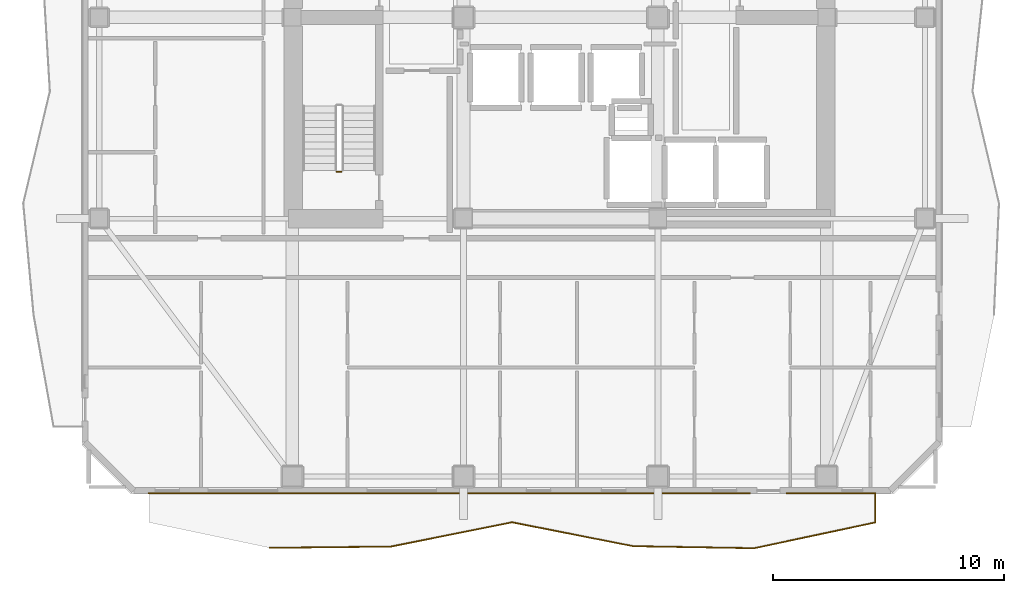
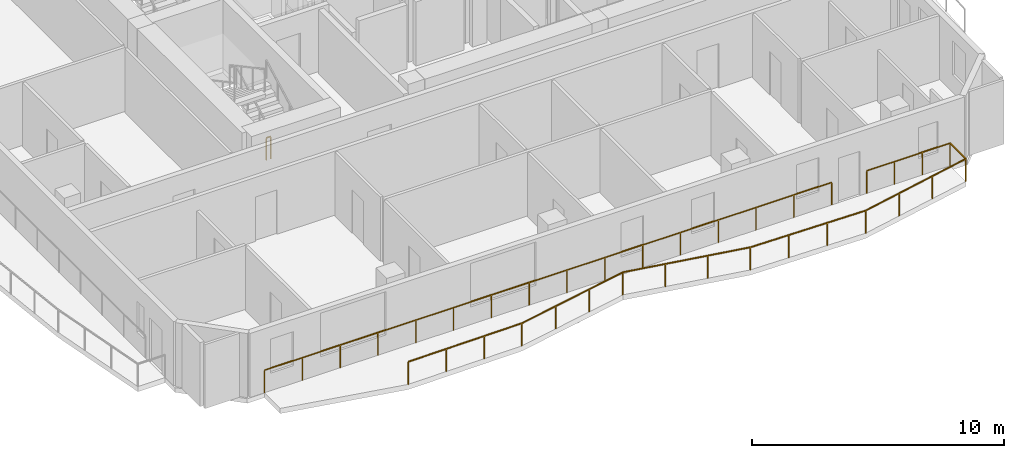
# One storey, part 7 of 10: 3 railings.
"""IFC4 building model written with IfcOpenShell, lengths in metres."""

import ifcopenshell
import ifcopenshell.guid

model = None  # the IFC model being written
_history = None  # IfcOwnerHistory: only IFC2X3 demands one
_inside = {}  # id of a spatial element -> (the spatial element, [elements in it])
_under = {}  # id of a project, library or spatial element -> (it, [spatial elements below it])
_declared = {}  # id of a project -> (the project, [libraries it declares])
_typed = {}  # id of a type object -> (the type object, [elements of that type])
_made_of = {}  # id of a material, layer set ... -> (it, [elements and type objects made of it])


def new_model(schema):
    """Start an empty IFC model of exactly this schema.

    Asked for "IFC4X3", IfcOpenShell would pick the latest addendum, in which some entities
    have other attributes; the version numbers below select the first issue.
    IFC2X3 requires an IfcOwnerHistory on every rooted entity: one is made here for all.
    """
    global model, _history
    if schema == "IFC4X3":
        model = ifcopenshell.file(schema_version=(4, 3, 0, 0))
    else:
        model = ifcopenshell.file(schema=schema)
    _inside.clear()
    _under.clear()
    _declared.clear()
    _typed.clear()
    _made_of.clear()
    _history = None
    if model.schema == "IFC2X3":
        org = make("IfcOrganization", Name="unknown")
        user = make(
            "IfcPersonAndOrganization",
            ThePerson=make("IfcPerson", FamilyName="unknown"),
            TheOrganization=org,
        )
        app = make(
            "IfcApplication",
            ApplicationDeveloper=org,
            Version="unknown",
            ApplicationFullName="unknown",
            ApplicationIdentifier="unknown",
        )
        _history = make(
            "IfcOwnerHistory",
            OwningUser=user,
            OwningApplication=app,
            ChangeAction="ADDED",
            CreationDate=0,
        )
    return model


def make(cls, **values):
    """One entity of the class cls with the attributes given. An attribute that is None is left unset."""
    return model.create_entity(
        cls, **{name: value for name, value in values.items() if value is not None}
    )


def rooted(cls, **values):
    """An entity with a GlobalId (a new one), such as an element, a storey or a relation."""
    return make(cls, GlobalId=ifcopenshell.guid.new(), OwnerHistory=_history, **values)


def si_unit(unit_type, name, prefix=None):
    """IfcSIUnit, for example si_unit("LENGTHUNIT", "METRE", prefix="MILLI")."""
    return make("IfcSIUnit", UnitType=unit_type, Prefix=prefix, Name=name)


def assignment(units):
    """IfcUnitAssignment: the units of a project."""
    return None if units is None else make("IfcUnitAssignment", Units=units)


def point(xyz):
    """IfcCartesianPoint."""
    return None if xyz is None else make("IfcCartesianPoint", Coordinates=xyz)


def direction(xyz):
    """IfcDirection."""
    return None if xyz is None else make("IfcDirection", DirectionRatios=xyz)


def frame(location, z_axis=None, x_axis=None):
    """IfcAxis2Placement3D, a coordinate frame: its origin and axes. An axis left out is left unset."""
    return make(
        "IfcAxis2Placement3D",
        Location=point(location),
        Axis=direction(z_axis),
        RefDirection=direction(x_axis),
    )


def frame_2d(location, x_axis=None):
    """IfcAxis2Placement2D, a coordinate frame in the plane: its origin and x axis."""
    return make(
        "IfcAxis2Placement2D", Location=point(location), RefDirection=direction(x_axis)
    )


def origin():
    """The frame at (0, 0, 0) with its axes left unset."""
    return frame((0.0, 0.0, 0.0))


def origin_2d():
    """The frame at (0, 0) in the plane with its x axis left unset."""
    return frame_2d((0.0, 0.0))


def place(relative_to, where):
    """IfcLocalPlacement: puts the frame where relative to a parent placement (None: the world)."""
    return make(
        "IfcLocalPlacement", PlacementRelTo=relative_to, RelativePlacement=where
    )


def context(
    kind, dimensions, precision=None, world=None, true_north=None, identifier=None
):
    """IfcGeometricRepresentationContext, for example the 3D "Model" context."""
    return make(
        "IfcGeometricRepresentationContext",
        ContextIdentifier=identifier,
        ContextType=kind,
        CoordinateSpaceDimension=dimensions,
        Precision=precision,
        WorldCoordinateSystem=world,
        TrueNorth=true_north,
    )


def subcontext(parent, identifier, kind, view, scale=None):
    """IfcGeometricRepresentationSubContext, for example "Body" below "Model"."""
    return make(
        "IfcGeometricRepresentationSubContext",
        ContextIdentifier=identifier,
        ContextType=kind,
        ParentContext=parent,
        TargetScale=scale,
        TargetView=view,
    )


def project(units=None, contexts=None):
    """IfcProject with its units and contexts."""
    return rooted(
        "IfcProject",
        Name="project",
        RepresentationContexts=contexts,
        UnitsInContext=assignment(units),
    )


def spatial(cls, under=None, at=None, **own):
    """A site, building, storey or space (cls), placed at a placement, below another one or the project."""
    s = rooted(cls, ObjectPlacement=at, **own)
    if under is not None:
        _under.setdefault(under.id(), (under, []))[1].append(s)
    return s


def profile(cls, at=None, kind="AREA", **sizes):
    """A parametric profile (cls). Its sizes go by their IFC names, for example OverallWidth=200.0."""
    return make(cls, ProfileType=kind, Position=at, **sizes)


def rectangle(**sizes):
    """IfcRectangleProfileDef."""
    return profile("IfcRectangleProfileDef", **sizes)


def extrude(swept, where, along, depth):
    """IfcExtrudedAreaSolid: the profile swept, set in the frame where, extruded along a direction by depth."""
    return make(
        "IfcExtrudedAreaSolid",
        SweptArea=swept,
        Position=where,
        ExtrudedDirection=direction(along),
        Depth=depth,
    )


def shape(context_of_items, identifier, shape_type, items):
    """IfcShapeRepresentation: the items that make up one representation, for example the "Body"."""
    return make(
        "IfcShapeRepresentation",
        ContextOfItems=context_of_items,
        RepresentationIdentifier=identifier,
        RepresentationType=shape_type,
        Items=items,
    )


def material(Name=None, Category=None):
    """IfcMaterial."""
    return make("IfcMaterial", Name=Name, Category=Category)


def made_of(thing, what):
    """Note that an element or type object is made of a material, layer set ...; save() writes the relation."""
    if what is not None:
        _made_of.setdefault(what.id(), (what, []))[1].append(thing)
    return thing


def type_object(cls, material=None, **own):
    """A type object (cls), such as IfcWallType, which elements share."""
    return made_of(rooted(cls, **own), material)


def element(
    cls,
    number,
    at=None,
    inside=None,
    cuts=None,
    type_object=None,
    material=None,
    context=None,
    identifier="Body",
    shape_type=None,
    held_by="IfcProductDefinitionShape",
    body=None,
    shapes=None,
    **own,
):
    """One element of the class cls, such as IfcWall. Its Tag is "e" and its number.

    at: its placement. inside: the storey or other place that contains it. cuts: it is an
    opening in that element (IfcRelVoidsElement). A single representation is given by context,
    identifier, shape_type and body (its items); several are given by shapes. held_by: the class
    of the entity that holds the representations. save() writes the other relations.
    """
    e = rooted(cls, Tag="e%d" % number, ObjectPlacement=at, **own)
    if body is not None:
        shapes = [shape(context, identifier, shape_type, body)]
    if shapes is not None:
        e.Representation = make(held_by, Representations=shapes)
    if inside is not None:
        _inside.setdefault(inside.id(), (inside, []))[1].append(e)
    if cuts is not None:
        rooted(
            "IfcRelVoidsElement", RelatingBuildingElement=cuts, RelatedOpeningElement=e
        )
    if type_object is not None:
        _typed.setdefault(type_object.id(), (type_object, []))[1].append(e)
    return made_of(e, material)


def aggregate(whole, parts):
    """IfcRelAggregates: a whole, such as a stair, and the parts it consists of."""
    return rooted("IfcRelAggregates", RelatingObject=whole, RelatedObjects=parts)


def save(model, path):
    """Write the relations noted so far, then the file.

    IfcRelAggregates (storeys below a building ...), IfcRelContainedInSpatialStructure (elements
    in a storey), IfcRelDefinesByType, IfcRelAssociatesMaterial and IfcRelDeclares: one each for
    every whole, place, type object, material and project.
    """
    for whole, parts in _under.values():
        aggregate(whole, parts)
    for where, things in _inside.values():
        rooted(
            "IfcRelContainedInSpatialStructure",
            RelatedElements=things,
            RelatingStructure=where,
        )
    for kind, things in _typed.values():
        rooted("IfcRelDefinesByType", RelatedObjects=things, RelatingType=kind)
    for what, things in _made_of.values():
        rooted("IfcRelAssociatesMaterial", RelatedObjects=things, RelatingMaterial=what)
    for by, libraries in _declared.values():
        rooted("IfcRelDeclares", RelatingContext=by, RelatedDefinitions=libraries)
    model.write(path)


model = new_model("IFC4")

# Units and contexts
model_context = context("Model", 3, precision=1e-05, world=origin(), true_north=direction((0.0, 1.0)))
body_context = subcontext(model_context, "Body", "Model", "MODEL_VIEW")
ifc_project = project(units=[si_unit("LENGTHUNIT", "METRE"), si_unit("AREAUNIT", "SQUARE_METRE"), si_unit("VOLUMEUNIT", "CUBIC_METRE"), si_unit("PLANEANGLEUNIT", "RADIAN"), si_unit("MASSUNIT", "GRAM", prefix="KILO")], contexts=[model_context])

# Site, building, storey
site_placement = place(None, origin())
site = spatial("IfcSite", under=ifc_project, at=site_placement, CompositionType="ELEMENT")
building_placement = place(site_placement, origin())
building = spatial("IfcBuilding", under=site, at=building_placement, Name="Solanera Arch Residences", CompositionType="ELEMENT")
storey_placement = place(building_placement, frame((0.0, 0.0, 200.1201171875)))
storey = spatial("IfcBuildingStorey", under=building, at=storey_placement, Name="L58", CompositionType="ELEMENT", Elevation=200.1201171875)

# Railings
ifc_material_1 = material(Name="Steel S355 (ASTM A992 / A572 Grade 50)", Category="steel")
railing_type_1 = type_object("IfcRailingType", Name="Balustrade Railing BL-1100", PredefinedType="BALUSTRADE", material=ifc_material_1)
railing_1_placement = place(storey_placement, frame((12.43310546875, 7.76611328125, 0.0)))
element("IfcRailing", 1, at=railing_1_placement, inside=storey, type_object=railing_type_1, Name="L58 S Balcony Balustrade 1", PredefinedType="BALUSTRADE", context=body_context, shape_type="SweptSolid", body=[
    extrude(rectangle(XDim=0.048095703125, YDim=0.048095703125, at=origin_2d()), frame((0.0, 0.0, 1.09619140625), z_axis=(0.999944928028, 0.010494804031, 0.0), x_axis=(-0.010494804031, 0.999944928028, 0.0)), (0.0, 0.0, 1.0), 5.234130859375),
    extrude(rectangle(XDim=0.048095703125, YDim=0.048095703125, at=origin_2d()), frame((5.23388671875, 0.054931640625, 1.09619140625), z_axis=(0.980490843163, 0.19656476407, 0.0), x_axis=(-0.19656476407, 0.980490843163, 0.0)), (0.0, 0.0, 1.0), 5.3369140625),
    extrude(rectangle(XDim=0.048095703125, YDim=0.048095703125, at=origin_2d()), frame((10.466796875, 1.10400390625, 1.09619140625), z_axis=(0.981096559981, -0.193518836277, 0.0), x_axis=(0.193518836277, 0.981096559981, 0.0)), (0.0, 0.0, 1.0), 5.333984375),
    extrude(rectangle(XDim=0.048095703125, YDim=0.048095703125, at=origin_2d()), frame((15.699951171875, 0.07177734375, 1.09619140625), z_axis=(0.999859033916, -0.016790244062, 0.0), x_axis=(0.016790244062, 0.999859033916, 0.0)), (0.0, 0.0, 1.0), 5.234619140625),
    extrude(rectangle(XDim=0.048095703125, YDim=0.048095703125, at=origin_2d()), frame((20.933837890625, -0.01611328125, 1.09619140625), z_axis=(0.978083987841, 0.208210741148, 0.0), x_axis=(-0.208210741148, 0.978083987841, 0.0)), (0.0, 0.0, 1.0), 5.350341796875),
    extrude(rectangle(XDim=0.048095703125, YDim=0.048095703125, at=origin_2d()), frame((26.1669921875, 1.097900390625, 1.09619140625), z_axis=(0.0, 1.0, 0.0), x_axis=(-1.0, 0.0, 0.0)), (0.0, 0.0, 1.0), 1.256103515625),
    extrude(rectangle(XDim=0.048095703125, YDim=0.048095703125, at=origin_2d()), frame((26.1669921875, 2.35400390625, 1.09619140625), z_axis=(-1.0, 0.0, 0.0), x_axis=(0.0, -1.0, 0.0)), (0.0, 0.0, 1.0), 3.821044921875),
    extrude(rectangle(XDim=0.0419921875, YDim=0.0419921875, at=origin_2d()), origin(), (0.0, 0.0, 1.0), 1.072021484375),
    extrude(rectangle(XDim=0.0419921875, YDim=0.0419921875, at=origin_2d()), frame((1.74462890625, 0.018310546875, 0.0)), (0.0, 0.0, 1.0), 1.072021484375),
    extrude(rectangle(XDim=0.0419921875, YDim=0.0419921875, at=origin_2d()), frame((3.4892578125, 0.03662109375, 0.0)), (0.0, 0.0, 1.0), 1.072021484375),
    extrude(rectangle(XDim=0.0419921875, YDim=0.0419921875, at=origin_2d()), frame((5.23388671875, 0.054931640625, 0.0)), (0.0, 0.0, 1.0), 1.072021484375),
    extrude(rectangle(XDim=0.0419921875, YDim=0.0419921875, at=origin_2d()), frame((6.978271484375, 0.404541015625, 0.0)), (0.0, 0.0, 1.0), 1.072021484375),
    extrude(rectangle(XDim=0.0419921875, YDim=0.0419921875, at=origin_2d()), frame((8.722412109375, 0.75439453125, 0.0)), (0.0, 0.0, 1.0), 1.072021484375),
    extrude(rectangle(XDim=0.0419921875, YDim=0.0419921875, at=origin_2d()), frame((10.466796875, 1.10400390625, 0.0)), (0.0, 0.0, 1.0), 1.072021484375),
    extrude(rectangle(XDim=0.0419921875, YDim=0.0419921875, at=origin_2d()), frame((12.211181640625, 0.760009765625, 0.0)), (0.0, 0.0, 1.0), 1.072021484375),
    extrude(rectangle(XDim=0.0419921875, YDim=0.0419921875, at=origin_2d()), frame((13.95556640625, 0.415771484375, 0.0)), (0.0, 0.0, 1.0), 1.072021484375),
    extrude(rectangle(XDim=0.0419921875, YDim=0.0419921875, at=origin_2d()), frame((15.699951171875, 0.07177734375, 0.0)), (0.0, 0.0, 1.0), 1.072021484375),
    extrude(rectangle(XDim=0.0419921875, YDim=0.0419921875, at=origin_2d()), frame((17.444580078125, 0.04248046875, 0.0)), (0.0, 0.0, 1.0), 1.072021484375),
    extrude(rectangle(XDim=0.0419921875, YDim=0.0419921875, at=origin_2d()), frame((19.189208984375, 0.01318359375, 0.0)), (0.0, 0.0, 1.0), 1.072021484375),
    extrude(rectangle(XDim=0.0419921875, YDim=0.0419921875, at=origin_2d()), frame((20.933837890625, -0.01611328125, 0.0)), (0.0, 0.0, 1.0), 1.072021484375),
    extrude(rectangle(XDim=0.0419921875, YDim=0.0419921875, at=origin_2d()), frame((22.67822265625, 0.355224609375, 0.0)), (0.0, 0.0, 1.0), 1.072021484375),
    extrude(rectangle(XDim=0.0419921875, YDim=0.0419921875, at=origin_2d()), frame((24.422607421875, 0.7265625, 0.0)), (0.0, 0.0, 1.0), 1.072021484375),
    extrude(rectangle(XDim=0.0419921875, YDim=0.0419921875, at=origin_2d()), frame((26.1669921875, 1.097900390625, 0.0)), (0.0, 0.0, 1.0), 1.072021484375),
    extrude(rectangle(XDim=0.0419921875, YDim=0.0419921875, at=origin_2d()), frame((26.1669921875, 2.35400390625, 0.0)), (0.0, 0.0, 1.0), 1.072021484375),
    extrude(rectangle(XDim=0.0419921875, YDim=0.0419921875, at=origin_2d()), frame((24.893310546875, 2.35400390625, 0.0)), (0.0, 0.0, 1.0), 1.072021484375),
    extrude(rectangle(XDim=0.0419921875, YDim=0.0419921875, at=origin_2d()), frame((23.61962890625, 2.35400390625, 0.0)), (0.0, 0.0, 1.0), 1.072021484375),
    extrude(rectangle(XDim=0.0419921875, YDim=0.0419921875, at=origin_2d()), frame((22.345947265625, 2.35400390625, 0.0)), (0.0, 0.0, 1.0), 1.072021484375),
])
railing_2_placement = place(storey_placement, frame((33.178955078125, 10.1201171875, 0.0)))
element("IfcRailing", 2, at=railing_2_placement, inside=storey, type_object=railing_type_1, Name="L58 S Balcony Balustrade 2", PredefinedType="BALUSTRADE", context=body_context, shape_type="SweptSolid", body=[
    extrude(rectangle(XDim=0.048095703125, YDim=0.048095703125, at=origin_2d()), frame((0.0, 0.0, 1.09619140625), z_axis=(-1.0, 0.0, 0.0), x_axis=(0.0, -1.0, 0.0)), (0.0, 0.0, 1.0), 25.97900390625),
    extrude(rectangle(XDim=0.0419921875, YDim=0.0419921875, at=origin_2d()), origin(), (0.0, 0.0, 1.0), 1.072021484375),
    extrude(rectangle(XDim=0.0419921875, YDim=0.0419921875, at=origin_2d()), frame((-1.73193359375, 0.0, 0.0)), (0.0, 0.0, 1.0), 1.072021484375),
    extrude(rectangle(XDim=0.0419921875, YDim=0.0419921875, at=origin_2d()), frame((-3.4638671875, 0.0, 0.0)), (0.0, 0.0, 1.0), 1.072021484375),
    extrude(rectangle(XDim=0.0419921875, YDim=0.0419921875, at=origin_2d()), frame((-5.19580078125, 0.0, 0.0)), (0.0, 0.0, 1.0), 1.072021484375),
    extrude(rectangle(XDim=0.0419921875, YDim=0.0419921875, at=origin_2d()), frame((-6.927734375, 0.0, 0.0)), (0.0, 0.0, 1.0), 1.072021484375),
    extrude(rectangle(XDim=0.0419921875, YDim=0.0419921875, at=origin_2d()), frame((-8.65966796875, 0.0, 0.0)), (0.0, 0.0, 1.0), 1.072021484375),
    extrude(rectangle(XDim=0.0419921875, YDim=0.0419921875, at=origin_2d()), frame((-10.3916015625, 0.0, 0.0)), (0.0, 0.0, 1.0), 1.072021484375),
    extrude(rectangle(XDim=0.0419921875, YDim=0.0419921875, at=origin_2d()), frame((-12.12353515625, 0.0, 0.0)), (0.0, 0.0, 1.0), 1.072021484375),
    extrude(rectangle(XDim=0.0419921875, YDim=0.0419921875, at=origin_2d()), frame((-13.85546875, 0.0, 0.0)), (0.0, 0.0, 1.0), 1.072021484375),
    extrude(rectangle(XDim=0.0419921875, YDim=0.0419921875, at=origin_2d()), frame((-15.58740234375, 0.0, 0.0)), (0.0, 0.0, 1.0), 1.072021484375),
    extrude(rectangle(XDim=0.0419921875, YDim=0.0419921875, at=origin_2d()), frame((-17.3193359375, 0.0, 0.0)), (0.0, 0.0, 1.0), 1.072021484375),
    extrude(rectangle(XDim=0.0419921875, YDim=0.0419921875, at=origin_2d()), frame((-19.05126953125, 0.0, 0.0)), (0.0, 0.0, 1.0), 1.072021484375),
    extrude(rectangle(XDim=0.0419921875, YDim=0.0419921875, at=origin_2d()), frame((-20.783203125, 0.0, 0.0)), (0.0, 0.0, 1.0), 1.072021484375),
    extrude(rectangle(XDim=0.0419921875, YDim=0.0419921875, at=origin_2d()), frame((-22.51513671875, 0.0, 0.0)), (0.0, 0.0, 1.0), 1.072021484375),
    extrude(rectangle(XDim=0.0419921875, YDim=0.0419921875, at=origin_2d()), frame((-24.2470703125, 0.0, 0.0)), (0.0, 0.0, 1.0), 1.072021484375),
    extrude(rectangle(XDim=0.0419921875, YDim=0.0419921875, at=origin_2d()), frame((-25.97900390625, 0.0, 0.0)), (0.0, 0.0, 1.0), 1.072021484375),
])
ifc_material_2 = material(Name="Steel S355 (ASTM A992 / A572 Grade 50)", Category="steel")
railing_type_2 = type_object("IfcRailingType", Name="Stair Guardrail GR-1100", PredefinedType="GUARDRAIL", material=ifc_material_2)
railing_3_placement = place(storey_placement, frame((15.52001953125, 24.030029296875, -0.01513671875)))
element("IfcRailing", 3, at=railing_3_placement, inside=storey, type_object=railing_type_2, Name="L58 ST-T3 stair guard 4", PredefinedType="GUARDRAIL", context=body_context, shape_type="SweptSolid", body=[
    extrude(rectangle(XDim=0.048095703125, YDim=0.048095703125, at=origin_2d()), frame((0.0, 0.0, 1.076171875), z_axis=(-1.0, 0.0, 0.0), x_axis=(0.0, -1.0, 0.0)), (0.0, 0.0, 1.0), 0.199951171875),
    extrude(rectangle(XDim=0.0419921875, YDim=0.0419921875, at=origin_2d()), origin(), (0.0, 0.0, 1.0), 1.052001953125),
    extrude(rectangle(XDim=0.0419921875, YDim=0.0419921875, at=origin_2d()), frame((-0.199951171875, 0.0, 0.0)), (0.0, 0.0, 1.0), 1.052001953125),
])

save(model, "model.ifc")
